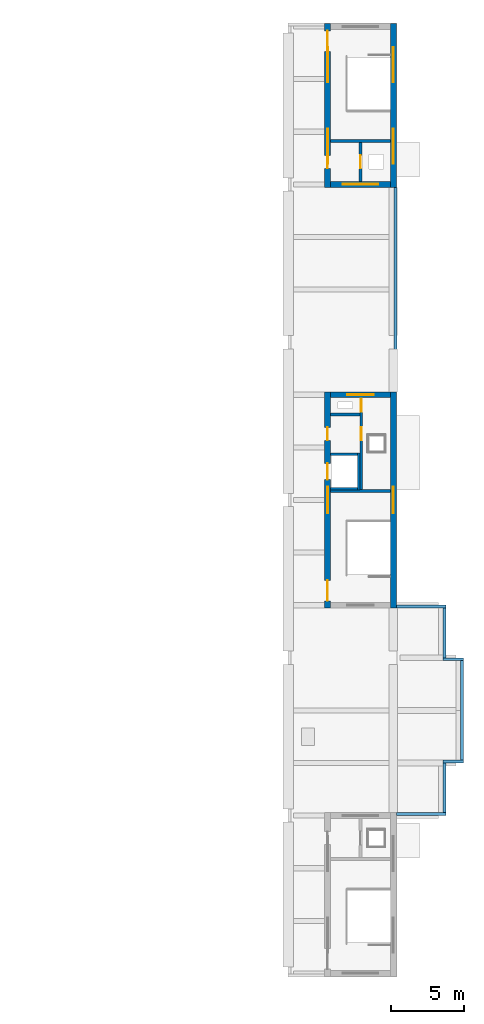
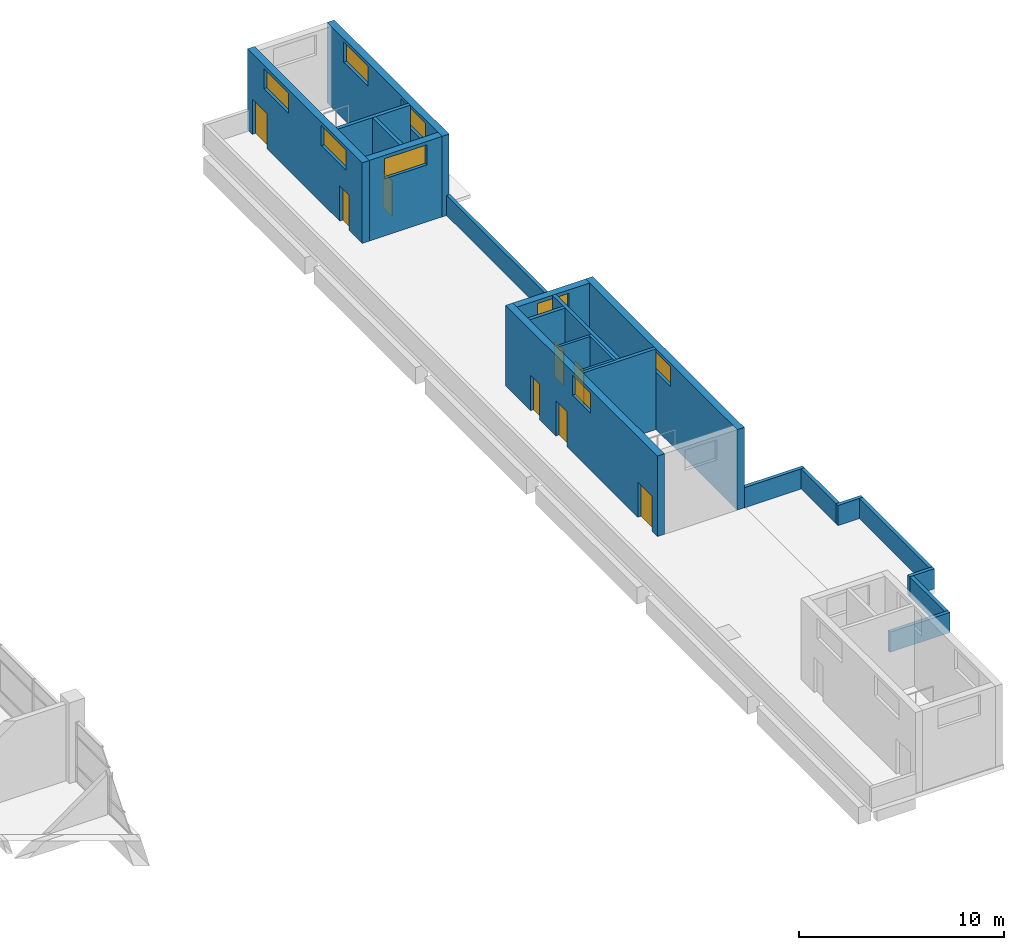
# One storey, part 19 of 23: 22 walls, 8 doors, 8 windows, 16 openings.
"""IFC4 building model written with IfcOpenShell, lengths in metres."""

from ifc_helpers import new_model, si_unit, direction, frame, frame_2d, origin, place, context, subcontext, project, spatial, rectangle, extrude, material, layer, layer_set, type_object, element, fill, save


model = new_model("IFC4")

# Units and contexts
model_context = context("Model", 3, precision=1e-05, world=origin(), true_north=direction((0.0, 1.0)))
body_context = subcontext(model_context, "Body", "Model", "MODEL_VIEW")
ifc_project = project(units=[si_unit("LENGTHUNIT", "METRE"), si_unit("AREAUNIT", "SQUARE_METRE"), si_unit("VOLUMEUNIT", "CUBIC_METRE"), si_unit("PLANEANGLEUNIT", "RADIAN"), si_unit("MASSUNIT", "GRAM", prefix="KILO")], contexts=[model_context])

# Site, building, storey
site_placement = place(None, origin())
site = spatial("IfcSite", under=ifc_project, at=site_placement, CompositionType="ELEMENT")
building_placement = place(site_placement, origin())
building = spatial("IfcBuilding", under=site, at=building_placement, Name="Basin Gate Institute", CompositionType="ELEMENT")
storey_placement = place(building_placement, frame((0.0, 0.0, 46.199951171875)))
storey = spatial("IfcBuildingStorey", under=building, at=storey_placement, Name="L09", CompositionType="ELEMENT", Elevation=46.199951171875)

# Walls
ifc_material_1 = material(Name="Concrete 40 MPa", Category="concrete")
ifc_layer_1 = layer(ifc_material_1, 0.199951171875)
ifc_layer_set_1 = layer_set([ifc_layer_1], Name="Concrete 40 MPa")
wall_type_1 = type_object("IfcWallType", Name="Parapet wall PA1", PredefinedType="PARAPET", material=ifc_layer_set_1)
wall_1_placement = place(storey_placement, frame((118.949951171875, 88.89990234375, 0.0), z_axis=(0.0, 0.0, 1.0), x_axis=(0.0, -1.0, 0.0)))
element("IfcWall", 1, at=wall_1_placement, inside=storey, type_object=wall_type_1, material=ifc_layer_set_1, Name="Parapet wall PA1 L09 E4", PredefinedType="PARAPET", context=body_context, shape_type="SweptSolid", body=[
    extrude(rectangle(XDim=14.0, YDim=0.199951171875, at=frame_2d((7.0, 0.0))), origin(), (0.0, 0.0, 1.0), 1.199951171875),
])
wall_2_placement = place(storey_placement, frame((119.0, 60.199951171875, 0.0), z_axis=(0.0, 0.0, 1.0), x_axis=(1.0, 0.0, 0.0)))
element("IfcWall", 2, at=wall_2_placement, inside=storey, type_object=wall_type_1, material=ifc_layer_set_1, Name="Parapet wall PA1 L09 E5", PredefinedType="PARAPET", context=body_context, shape_type="SweptSolid", body=[
    extrude(rectangle(XDim=3.39990234375, YDim=0.199951171875, at=frame_2d((1.699951171875, 0.0))), origin(), (0.0, 0.0, 1.0), 1.199951171875),
])
wall_3_placement = place(storey_placement, frame((122.300048828125, 60.10009765625, 0.0), z_axis=(0.0, 0.0, 1.0), x_axis=(0.0, -1.0, 0.0)))
element("IfcWall", 3, at=wall_3_placement, inside=storey, type_object=wall_type_1, material=ifc_layer_set_1, Name="Parapet wall PA1 L09 E6", PredefinedType="PARAPET", context=body_context, shape_type="SweptSolid", body=[
    extrude(rectangle(XDim=3.400146484375, YDim=0.199951171875, at=frame_2d((1.7001953125, 0.0))), origin(), (0.0, 0.0, 1.0), 1.199951171875),
])
wall_4_placement = place(storey_placement, frame((122.199951171875, 56.60009765625, 0.0), z_axis=(0.0, 0.0, 1.0), x_axis=(1.0, 0.0, 0.0)))
element("IfcWall", 4, at=wall_4_placement, inside=storey, type_object=wall_type_1, material=ifc_layer_set_1, Name="Parapet wall PA1 L09 E7", PredefinedType="PARAPET", context=body_context, shape_type="SweptSolid", body=[
    extrude(rectangle(XDim=1.400146484375, YDim=0.199951171875, at=frame_2d((0.7001953125, 0.0))), origin(), (0.0, 0.0, 1.0), 1.199951171875),
])
wall_5_placement = place(storey_placement, frame((123.5, 56.5, 0.0), z_axis=(0.0, 0.0, 1.0), x_axis=(0.0, -1.0, 0.0)))
element("IfcWall", 5, at=wall_5_placement, inside=storey, type_object=wall_type_1, material=ifc_layer_set_1, Name="Parapet wall PA1 L09 E8", PredefinedType="PARAPET", context=body_context, shape_type="SweptSolid", body=[
    extrude(rectangle(XDim=6.800048828125, YDim=0.199951171875, at=frame_2d((3.39990234375, 0.0))), origin(), (0.0, 0.0, 1.0), 1.199951171875),
])
wall_6_placement = place(storey_placement, frame((123.60009765625, 49.60009765625, 0.0), z_axis=(0.0, 0.0, 1.0), x_axis=(-1.0, 0.0, 0.0)))
element("IfcWall", 6, at=wall_6_placement, inside=storey, type_object=wall_type_1, material=ifc_layer_set_1, Name="Parapet wall PA1 L09 E9", PredefinedType="PARAPET", context=body_context, shape_type="SweptSolid", body=[
    extrude(rectangle(XDim=1.400146484375, YDim=0.199951171875, at=frame_2d((0.7001953125, 0.0))), origin(), (0.0, 0.0, 1.0), 1.199951171875),
])
for number, where, z_axis, x_axis, name in (
    (7, (122.300048828125, 49.5, 0.0), (0.0, 0.0, 1.0), (0.0, -1.0, 0.0), "Parapet wall PA1 L09 E10"),
    (8, (122.39990234375, 46.0, 0.0), (0.0, 0.0, 1.0), (-1.0, 0.0, 0.0), "Parapet wall PA1 L09 E11"),
):
    element("IfcWall", number, at=place(storey_placement, frame(where, z_axis=z_axis, x_axis=x_axis)), inside=storey, type_object=wall_type_1, material=ifc_layer_set_1, Name=name, PredefinedType="PARAPET", context=body_context, shape_type="SweptSolid", body=[
        extrude(rectangle(XDim=3.39990234375, YDim=0.199951171875, at=frame_2d((1.699951171875, 0.0))), origin(), (0.0, 0.0, 1.0), 1.199951171875),
    ])
ifc_material_2 = material(Name="Concrete 40 MPa", Category="concrete")
ifc_layer_2 = layer(ifc_material_2, 0.199951171875)
ifc_layer_set_2 = layer_set([ifc_layer_2], Name="Concrete 40 MPa")
wall_type_2 = type_object("IfcWallType", Name="Penthouse partition wall RW2 R60", PredefinedType="SOLIDWALL", material=ifc_layer_set_2)
wall_7_placement = place(storey_placement, frame((114.5, 73.35009765625, 0.0), z_axis=(0.0, 0.0, 1.0), x_axis=(1.0, 0.0, 0.0)))
element("IfcWall", 9, at=wall_7_placement, inside=storey, type_object=wall_type_2, material=ifc_layer_set_2, Name="Penthouse partition RW2 EM", PredefinedType="SOLIDWALL", context=body_context, shape_type="SweptSolid", body=[
    extrude(rectangle(XDim=2.0, YDim=0.199951171875, at=frame_2d((1.0, 0.0))), origin(), (0.0, 0.0, 1.0), 4.800048828125),
])

# Wall, openings, doors
wall_8_placement = place(storey_placement, frame((116.60009765625, 68.22509765625, 0.0), z_axis=(0.0, 0.0, 1.0), x_axis=(0.0, 1.0, 0.0)))
wall_8 = element("IfcWall", 10, at=wall_8_placement, inside=storey, type_object=wall_type_2, material=ifc_layer_set_2, Name="Penthouse partition RW2 EM", PredefinedType="SOLIDWALL", context=body_context, shape_type="SweptSolid", body=[
    extrude(rectangle(XDim=6.27490234375, YDim=0.199951171875, at=frame_2d((3.137451171875, 0.0))), origin(), (0.0, 0.0, 1.0), 4.800048828125),
])
opening_1_placement = place(wall_8_placement, frame((3.35009765625, 0.0, 0.0)))
opening_1 = element("IfcOpeningElement", 11, at=opening_1_placement, cuts=wall_8, Name="Opening D14", PredefinedType="OPENING", context=body_context, shape_type="SweptSolid", body=[
    extrude(rectangle(XDim=0.89990234375, YDim=2.10009765625, at=frame_2d((0.449951171875, 1.050048828125))), frame((0.0, 0.10986328125, 0.0), z_axis=(0.0, -1.0, 0.0), x_axis=(1.0, 0.0, 0.0)), (0.0, 0.0, 1.0), 0.219970703125),
])
opening_2_placement = place(wall_8_placement, frame((5.300048828125, 0.0, 0.0)))
opening_2 = element("IfcOpeningElement", 12, at=opening_2_placement, cuts=wall_8, Name="Opening D14", PredefinedType="OPENING", context=body_context, shape_type="SweptSolid", body=[
    extrude(rectangle(XDim=0.89990234375, YDim=2.10009765625, at=frame_2d((0.449951171875, 1.050048828125))), frame((0.0, 0.10986328125, 0.0), z_axis=(0.0, -1.0, 0.0), x_axis=(1.0, 0.0, 0.0)), (0.0, 0.0, 1.0), 0.219970703125),
])
ifc_material_3 = material(Name="Steel fire door", Category="steel")
door_type_1 = type_object("IfcDoorType", Name="Plant room door D14", OperationType="NOTDEFINED", PredefinedType="DOOR", material=ifc_material_3)
door_1_placement = place(opening_1_placement, frame((0.89990234375, 0.0, 0.0), z_axis=(0.0, 0.0, 1.0), x_axis=(-1.0, 0.0, 0.0)))
door_1 = element("IfcDoor", 13, at=door_1_placement, inside=storey, type_object=door_type_1, material=ifc_material_3, Name="Door to Exhaust Fan Room EM", OperationType="SINGLE_SWING_LEFT", OverallHeight=2.10009765625, OverallWidth=0.89990234375, PredefinedType="DOOR", context=body_context, shape_type="SweptSolid", body=[
    extrude(rectangle(XDim=0.89990234375, YDim=2.10009765625, at=frame_2d((0.449951171875, 1.050048828125))), frame((0.0, 0.02490234375, 0.0), z_axis=(0.0, -1.0, 0.0), x_axis=(1.0, 0.0, 0.0)), (0.0, 0.0, 1.0), 0.050048828125),
])
fill(opening_1, door_1)
door_2_placement = place(opening_2_placement, origin())
door_2 = element("IfcDoor", 14, at=door_2_placement, inside=storey, type_object=door_type_1, material=ifc_material_3, Name="Door to Riser Room EM", OperationType="SINGLE_SWING_LEFT", OverallHeight=2.10009765625, OverallWidth=0.89990234375, PredefinedType="DOOR", context=body_context, shape_type="SweptSolid", body=[
    extrude(rectangle(XDim=0.89990234375, YDim=2.10009765625, at=frame_2d((0.449951171875, 1.050048828125))), frame((0.0, 0.02490234375, 0.0), z_axis=(0.0, -1.0, 0.0), x_axis=(1.0, 0.0, 0.0)), (0.0, 0.0, 1.0), 0.050048828125),
])
fill(opening_2, door_2)

# Wall
wall_9_placement = place(storey_placement, frame((114.5, 68.125, 0.0), z_axis=(0.0, 0.0, 1.0), x_axis=(1.0, 0.0, 0.0)))
element("IfcWall", 15, at=wall_9_placement, inside=storey, type_object=wall_type_2, material=ifc_layer_set_2, Name="Penthouse partition RW2 EM", PredefinedType="SOLIDWALL", context=body_context, shape_type="SweptSolid", body=[
    extrude(rectangle(XDim=4.10009765625, YDim=0.199951171875, at=frame_2d((2.050048828125, 0.0))), origin(), (0.0, 0.0, 1.0), 4.800048828125),
])

# Wall, opening, door
wall_10_placement = place(storey_placement, frame((116.550048828125, 89.300048828125, 0.0), z_axis=(0.0, 0.0, 1.0), x_axis=(0.0, 1.0, 0.0)))
wall_10 = element("IfcWall", 16, at=wall_10_placement, inside=storey, type_object=wall_type_2, material=ifc_layer_set_2, Name="Penthouse partition RW2 EN", PredefinedType="SOLIDWALL", context=body_context, shape_type="SweptSolid", body=[
    extrude(rectangle(XDim=2.675048828125, YDim=0.199951171875, at=frame_2d((1.33740234375, 0.0))), origin(), (0.0, 0.0, 1.0), 4.800048828125),
])
opening_3_placement = place(wall_10_placement, frame((0.887451171875, 0.0, 0.0)))
opening_3 = element("IfcOpeningElement", 17, at=opening_3_placement, cuts=wall_10, Name="Opening D14", PredefinedType="OPENING", context=body_context, shape_type="SweptSolid", body=[
    extrude(rectangle(XDim=0.89990234375, YDim=2.10009765625, at=frame_2d((0.449951171875, 1.050048828125))), frame((0.0, 0.10986328125, 0.0), z_axis=(0.0, -1.0, 0.0), x_axis=(1.0, 0.0, 0.0)), (0.0, 0.0, 1.0), 0.219970703125),
])
door_3_placement = place(opening_3_placement, origin())
door_3 = element("IfcDoor", 18, at=door_3_placement, inside=storey, type_object=door_type_1, material=ifc_material_3, Name="Door to Electrical Room EN", OperationType="SINGLE_SWING_LEFT", OverallHeight=2.10009765625, OverallWidth=0.89990234375, PredefinedType="DOOR", context=body_context, shape_type="SweptSolid", body=[
    extrude(rectangle(XDim=0.89990234375, YDim=2.10009765625, at=frame_2d((0.449951171875, 1.050048828125))), frame((0.0, 0.02490234375, 0.0), z_axis=(0.0, -1.0, 0.0), x_axis=(1.0, 0.0, 0.0)), (0.0, 0.0, 1.0), 0.050048828125),
])
fill(opening_3, door_3)

# Walls
wall_11_placement = place(storey_placement, frame((114.5, 92.074951171875, 0.0), z_axis=(0.0, 0.0, 1.0), x_axis=(1.0, 0.0, 0.0)))
element("IfcWall", 19, at=wall_11_placement, inside=storey, type_object=wall_type_2, material=ifc_layer_set_2, Name="Penthouse partition RW2 EN", PredefinedType="SOLIDWALL", context=body_context, shape_type="SweptSolid", body=[
    extrude(rectangle(XDim=4.10009765625, YDim=0.199951171875, at=frame_2d((2.050048828125, 0.0))), origin(), (0.0, 0.0, 1.0), 4.800048828125),
])
ifc_material_4 = material(Name="Concrete 40 MPa", Category="concrete")
ifc_layer_3 = layer(ifc_material_4, 0.14990234375)
ifc_layer_set_3 = layer_set([ifc_layer_3], Name="Concrete 40 MPa")
wall_type_3 = type_object("IfcWallType", Name="Wall LS1 lift shaft enclosure R120", PredefinedType="SOLIDWALL", material=ifc_layer_set_3)
wall_12_placement = place(storey_placement, frame((116.425048828125, 68.199951171875, 0.0), z_axis=(0.0, 0.0, 1.0), x_axis=(0.0, 1.0, 0.0)))
element("IfcWall", 20, at=wall_12_placement, inside=storey, type_object=wall_type_3, material=ifc_layer_set_3, Name="Lift shaft enclosure LF2 L09 UL", PredefinedType="SOLIDWALL", context=body_context, shape_type="SweptSolid", body=[
    extrude(rectangle(XDim=2.5, YDim=0.14990234375, at=frame_2d((1.25, 0.0))), origin(), (0.0, 0.0, 1.0), 4.800048828125),
])
for number, where, z_axis, x_axis, name in (
    (21, (116.35009765625, 68.27490234375, 0.0), (0.0, 0.0, 1.0), (-1.0, 0.0, 0.0), "Lift shaft enclosure LF2 L09 RL"),
    (22, (116.35009765625, 70.625, 0.0), (0.0, 0.0, 1.0), (-1.0, 0.0, 0.0), "Lift shaft enclosure LF2 L09 RH"),
):
    element("IfcWall", number, at=place(storey_placement, frame(where, z_axis=z_axis, x_axis=x_axis)), inside=storey, type_object=wall_type_3, material=ifc_layer_set_3, Name=name, PredefinedType="SOLIDWALL", context=body_context, shape_type="SweptSolid", body=[
        extrude(rectangle(XDim=1.85009765625, YDim=0.14990234375, at=frame_2d((0.925048828125, 0.0))), origin(), (0.0, 0.0, 1.0), 4.800048828125),
    ])

# Wall, opening, window
ifc_material_5 = material(Name="Concrete 50 MPa", Category="concrete")
ifc_layer_4 = layer(ifc_material_5, 0.39990234375)
ifc_layer_set_4 = layer_set([ifc_layer_4], Name="Concrete 50 MPa")
wall_type_4 = type_object("IfcWallType", Name="Wall SW2 R120", PredefinedType="SHEAR", material=ifc_layer_set_4)
wall_13_placement = place(storey_placement, frame((118.800048828125, 60.10009765625, 0.0), z_axis=(0.0, 0.0, 1.0), x_axis=(0.0, 1.0, 0.0)))
wall_13 = element("IfcWall", 23, at=wall_13_placement, inside=storey, type_object=wall_type_4, material=ifc_layer_set_4, Name="WALL/L09/EM/L", PredefinedType="SHEAR", context=body_context, shape_type="SweptSolid", body=[
    extrude(rectangle(XDim=14.7998046875, YDim=0.39990234375, at=frame_2d((7.39990234375, 0.0))), origin(), (0.0, 0.0, 1.0), 4.800048828125),
])
opening_4_placement = place(wall_13_placement, frame((6.5, 0.0, 3.39990234375)))
opening_4 = element("IfcOpeningElement", 24, at=opening_4_placement, cuts=wall_13, Name="Opening LV2A", PredefinedType="OPENING", context=body_context, shape_type="SweptSolid", body=[
    extrude(rectangle(XDim=1.800048828125, YDim=1.199951171875, at=frame_2d((0.89990234375, 0.60009765625))), frame((0.0, 0.2099609375, 0.0), z_axis=(0.0, -1.0, 0.0), x_axis=(1.0, 0.0, 0.0)), (0.0, 0.0, 1.0), 0.419921875),
])
ifc_material_6 = material(Name="Aluminium louvre", Category="aluminium")
window_type_1 = type_object("IfcWindowType", Name="Exhaust louvre LV2A", PartitioningType="SINGLE_PANEL", PredefinedType="USERDEFINED", material=ifc_material_6)
window_1_placement = place(opening_4_placement, origin())
window_1 = element("IfcWindow", 25, at=window_1_placement, inside=storey, type_object=window_type_1, material=ifc_material_6, Name="Exhaust louvre LV2A EM stack L1", ObjectType="LOUVRE", OverallHeight=1.199951171875, OverallWidth=1.800048828125, PartitioningType="SINGLE_PANEL", PredefinedType="USERDEFINED", context=body_context, shape_type="SweptSolid", body=[
    extrude(rectangle(XDim=1.800048828125, YDim=1.199951171875, at=frame_2d((0.89990234375, 0.60009765625))), frame((0.0, 0.030029296875, 0.0), z_axis=(0.0, -1.0, 0.0), x_axis=(1.0, 0.0, 0.0)), (0.0, 0.0, 1.0), 0.06005859375),
])
fill(opening_4, window_1)

# Wall, openings, window, doors
wall_14_placement = place(storey_placement, frame((114.300048828125, 60.10009765625, 0.0), z_axis=(0.0, 0.0, 1.0), x_axis=(0.0, 1.0, 0.0)))
wall_14 = element("IfcWall", 26, at=wall_14_placement, inside=storey, type_object=wall_type_4, material=ifc_layer_set_4, Name="WALL/L09/EM/C", PredefinedType="SHEAR", context=body_context, shape_type="SweptSolid", body=[
    extrude(rectangle(XDim=14.7998046875, YDim=0.39990234375, at=frame_2d((7.39990234375, 0.0))), origin(), (0.0, 0.0, 1.0), 4.800048828125),
])
opening_5_placement = place(wall_14_placement, frame((8.800048828125, 0.0, 0.0)))
opening_5 = element("IfcOpeningElement", 27, at=opening_5_placement, cuts=wall_14, Name="Opening LD092", PredefinedType="OPENING", context=body_context, shape_type="SweptSolid", body=[
    extrude(rectangle(XDim=1.10009765625, YDim=2.10009765625, at=frame_2d((0.550048828125, 1.050048828125))), frame((0.0, 0.2099609375, 0.0), z_axis=(0.0, -1.0, 0.0), x_axis=(1.0, 0.0, 0.0)), (0.0, 0.0, 1.0), 0.419921875),
])
opening_6_placement = place(wall_14_placement, frame((0.5, 0.0, 0.0)))
opening_6 = element("IfcOpeningElement", 28, at=opening_6_placement, cuts=wall_14, Name="Opening DF05", PredefinedType="OPENING", context=body_context, shape_type="SweptSolid", body=[
    extrude(rectangle(XDim=1.39990234375, YDim=2.10009765625, at=frame_2d((0.699951171875, 1.050048828125))), frame((0.0, 0.2099609375, 0.0), z_axis=(0.0, -1.0, 0.0), x_axis=(1.0, 0.0, 0.0)), (0.0, 0.0, 1.0), 0.419921875),
])
opening_7_placement = place(wall_14_placement, frame((6.5, 0.0, 3.39990234375)))
opening_7 = element("IfcOpeningElement", 29, at=opening_7_placement, cuts=wall_14, Name="Opening LV2A", PredefinedType="OPENING", context=body_context, shape_type="SweptSolid", body=[
    extrude(rectangle(XDim=1.800048828125, YDim=1.199951171875, at=frame_2d((0.89990234375, 0.60009765625))), frame((0.0, 0.2099609375, 0.0), z_axis=(0.0, -1.0, 0.0), x_axis=(1.0, 0.0, 0.0)), (0.0, 0.0, 1.0), 0.419921875),
])
opening_8_placement = place(wall_14_placement, frame((11.47509765625, 0.0, 0.0)))
opening_8 = element("IfcOpeningElement", 30, at=opening_8_placement, cuts=wall_14, Name="Opening D14", PredefinedType="OPENING", context=body_context, shape_type="SweptSolid", body=[
    extrude(rectangle(XDim=0.89990234375, YDim=2.10009765625, at=frame_2d((0.449951171875, 1.050048828125))), frame((0.0, 0.2099609375, 0.0), z_axis=(0.0, -1.0, 0.0), x_axis=(1.0, 0.0, 0.0)), (0.0, 0.0, 1.0), 0.419921875),
])
window_2_placement = place(opening_7_placement, origin())
window_2 = element("IfcWindow", 31, at=window_2_placement, inside=storey, type_object=window_type_1, material=ifc_material_6, Name="Exhaust louvre LV2A EM stack C1", ObjectType="LOUVRE", OverallHeight=1.199951171875, OverallWidth=1.800048828125, PartitioningType="SINGLE_PANEL", PredefinedType="USERDEFINED", context=body_context, shape_type="SweptSolid", body=[
    extrude(rectangle(XDim=1.800048828125, YDim=1.199951171875, at=frame_2d((0.89990234375, 0.60009765625))), frame((0.0, 0.030029296875, 0.0), z_axis=(0.0, -1.0, 0.0), x_axis=(1.0, 0.0, 0.0)), (0.0, 0.0, 1.0), 0.06005859375),
])
fill(opening_7, window_2)
ifc_material_7 = material(Name="Steel fire door", Category="steel")
door_type_2 = type_object("IfcDoorType", Name="FD30 Roof access door DF", OperationType="DOUBLE_DOOR_SINGLE_SWING", PredefinedType="DOOR", material=ifc_material_7)
door_4_placement = place(opening_6_placement, origin())
door_4 = element("IfcDoor", 32, at=door_4_placement, inside=storey, type_object=door_type_2, material=ifc_material_7, Name="Roof access door ST-EM", OperationType="DOUBLE_DOOR_SINGLE_SWING", OverallHeight=2.10009765625, OverallWidth=1.39990234375, PredefinedType="DOOR", context=body_context, shape_type="SweptSolid", body=[
    extrude(rectangle(XDim=1.39990234375, YDim=2.10009765625, at=frame_2d((0.699951171875, 1.050048828125))), frame((0.0, 0.02490234375, 0.0), z_axis=(0.0, -1.0, 0.0), x_axis=(1.0, 0.0, 0.0)), (0.0, 0.0, 1.0), 0.050048828125),
])
fill(opening_6, door_4)
ifc_material_8 = material(Name="Stainless steel", Category="steel")
door_type_3 = type_object("IfcDoorType", Name="FD60 Lift landing door LD", OperationType="SLIDING_TO_LEFT", PredefinedType="DOOR", material=ifc_material_8)
door_5_placement = place(opening_5_placement, origin())
door_5 = element("IfcDoor", 33, at=door_5_placement, inside=storey, type_object=door_type_3, material=ifc_material_8, Name="Lift landing door LF2 L09", OperationType="SLIDING_TO_LEFT", OverallHeight=2.10009765625, OverallWidth=1.10009765625, PredefinedType="DOOR", context=body_context, shape_type="SweptSolid", body=[
    extrude(rectangle(XDim=1.10009765625, YDim=2.10009765625, at=frame_2d((0.550048828125, 1.050048828125))), frame((0.0, 0.02490234375, 0.0), z_axis=(0.0, -1.0, 0.0), x_axis=(1.0, 0.0, 0.0)), (0.0, 0.0, 1.0), 0.050048828125),
])
fill(opening_5, door_5)
door_6_placement = place(opening_8_placement, frame((0.89990234375, 0.0, 0.0), z_axis=(0.0, 0.0, 1.0), x_axis=(-1.0, 0.0, 0.0)))
door_6 = element("IfcDoor", 34, at=door_6_placement, inside=storey, type_object=door_type_1, material=ifc_material_3, Name="Door to Lift Machine Room LP5", OperationType="SINGLE_SWING_LEFT", OverallHeight=2.10009765625, OverallWidth=0.89990234375, PredefinedType="DOOR", context=body_context, shape_type="SweptSolid", body=[
    extrude(rectangle(XDim=0.89990234375, YDim=2.10009765625, at=frame_2d((0.449951171875, 1.050048828125))), frame((0.0, 0.02490234375, 0.0), z_axis=(0.0, -1.0, 0.0), x_axis=(1.0, 0.0, 0.0)), (0.0, 0.0, 1.0), 0.050048828125),
])
fill(opening_8, door_6)

# Wall, opening, window
wall_15_placement = place(storey_placement, frame((118.60009765625, 74.699951171875, 0.0), z_axis=(0.0, 0.0, 1.0), x_axis=(-1.0, 0.0, 0.0)))
wall_15 = element("IfcWall", 35, at=wall_15_placement, inside=storey, type_object=wall_type_4, material=ifc_layer_set_4, Name="WALL/L09/EM/N", PredefinedType="SHEAR", context=body_context, shape_type="SweptSolid", body=[
    extrude(rectangle(XDim=4.10009765625, YDim=0.39990234375, at=frame_2d((2.050048828125, 0.0))), origin(), (0.0, 0.0, 1.0), 4.800048828125),
])
opening_9_placement = place(wall_15_placement, frame((1.14990234375, 0.0, 3.39990234375)))
opening_9 = element("IfcOpeningElement", 36, at=opening_9_placement, cuts=wall_15, Name="Opening LV2A", PredefinedType="OPENING", context=body_context, shape_type="SweptSolid", body=[
    extrude(rectangle(XDim=1.800048828125, YDim=1.199951171875, at=frame_2d((0.89990234375, 0.60009765625))), frame((0.0, 0.2099609375, 0.0), z_axis=(0.0, -1.0, 0.0), x_axis=(1.0, 0.0, 0.0)), (0.0, 0.0, 1.0), 0.419921875),
])
window_3_placement = place(opening_9_placement, origin())
window_3 = element("IfcWindow", 37, at=window_3_placement, inside=storey, type_object=window_type_1, material=ifc_material_6, Name="Exhaust louvre LV2A EM stack N1", ObjectType="LOUVRE", OverallHeight=1.199951171875, OverallWidth=1.800048828125, PartitioningType="SINGLE_PANEL", PredefinedType="USERDEFINED", context=body_context, shape_type="SweptSolid", body=[
    extrude(rectangle(XDim=1.800048828125, YDim=1.199951171875, at=frame_2d((0.89990234375, 0.60009765625))), frame((0.0, 0.030029296875, 0.0), z_axis=(0.0, -1.0, 0.0), x_axis=(1.0, 0.0, 0.0)), (0.0, 0.0, 1.0), 0.06005859375),
])
fill(opening_9, window_3)

# Wall, openings, windows
wall_16_placement = place(storey_placement, frame((118.800048828125, 88.89990234375, 0.0), z_axis=(0.0, 0.0, 1.0), x_axis=(0.0, 1.0, 0.0)))
wall_16 = element("IfcWall", 38, at=wall_16_placement, inside=storey, type_object=wall_type_4, material=ifc_layer_set_4, Name="WALL/L09/EN/L", PredefinedType="SHEAR", context=body_context, shape_type="SweptSolid", body=[
    extrude(rectangle(XDim=11.2001953125, YDim=0.39990234375, at=frame_2d((5.60009765625, 0.0))), origin(), (0.0, 0.0, 1.0), 4.800048828125),
])
opening_10_placement = place(wall_16_placement, frame((1.60009765625, 0.0, 3.39990234375)))
opening_10 = element("IfcOpeningElement", 39, at=opening_10_placement, cuts=wall_16, Name="Opening LV1A", PredefinedType="OPENING", context=body_context, shape_type="SweptSolid", body=[
    extrude(rectangle(XDim=2.39990234375, YDim=1.199951171875, at=frame_2d((1.199951171875, 0.60009765625))), frame((0.0, 0.2099609375, 0.0), z_axis=(0.0, -1.0, 0.0), x_axis=(1.0, 0.0, 0.0)), (0.0, 0.0, 1.0), 0.419921875),
])
opening_11_placement = place(wall_16_placement, frame((7.199951171875, 0.0, 3.39990234375)))
opening_11 = element("IfcOpeningElement", 40, at=opening_11_placement, cuts=wall_16, Name="Opening LV1A", PredefinedType="OPENING", context=body_context, shape_type="SweptSolid", body=[
    extrude(rectangle(XDim=2.39990234375, YDim=1.199951171875, at=frame_2d((1.199951171875, 0.60009765625))), frame((0.0, 0.2099609375, 0.0), z_axis=(0.0, -1.0, 0.0), x_axis=(1.0, 0.0, 0.0)), (0.0, 0.0, 1.0), 0.419921875),
])
ifc_material_9 = material(Name="Aluminium louvre", Category="aluminium")
window_type_2 = type_object("IfcWindowType", Name="Exhaust louvre LV1A", PartitioningType="SINGLE_PANEL", PredefinedType="USERDEFINED", material=ifc_material_9)
window_4_placement = place(opening_10_placement, origin())
window_4 = element("IfcWindow", 41, at=window_4_placement, inside=storey, type_object=window_type_2, material=ifc_material_9, Name="Exhaust louvre LV1A EN stack L1", ObjectType="LOUVRE", OverallHeight=1.199951171875, OverallWidth=2.39990234375, PartitioningType="SINGLE_PANEL", PredefinedType="USERDEFINED", context=body_context, shape_type="SweptSolid", body=[
    extrude(rectangle(XDim=2.39990234375, YDim=1.199951171875, at=frame_2d((1.199951171875, 0.60009765625))), frame((0.0, 0.030029296875, 0.0), z_axis=(0.0, -1.0, 0.0), x_axis=(1.0, 0.0, 0.0)), (0.0, 0.0, 1.0), 0.06005859375),
])
fill(opening_10, window_4)
window_5_placement = place(opening_11_placement, origin())
window_5 = element("IfcWindow", 42, at=window_5_placement, inside=storey, type_object=window_type_2, material=ifc_material_9, Name="Exhaust louvre LV1A EN stack L2", ObjectType="LOUVRE", OverallHeight=1.199951171875, OverallWidth=2.39990234375, PartitioningType="SINGLE_PANEL", PredefinedType="USERDEFINED", context=body_context, shape_type="SweptSolid", body=[
    extrude(rectangle(XDim=2.39990234375, YDim=1.199951171875, at=frame_2d((1.199951171875, 0.60009765625))), frame((0.0, 0.030029296875, 0.0), z_axis=(0.0, -1.0, 0.0), x_axis=(1.0, 0.0, 0.0)), (0.0, 0.0, 1.0), 0.06005859375),
])
fill(opening_11, window_5)

# Wall, openings, windows, doors
wall_17_placement = place(storey_placement, frame((114.300048828125, 88.89990234375, 0.0), z_axis=(0.0, 0.0, 1.0), x_axis=(0.0, 1.0, 0.0)))
wall_17 = element("IfcWall", 43, at=wall_17_placement, inside=storey, type_object=wall_type_4, material=ifc_layer_set_4, Name="WALL/L09/EN/C", PredefinedType="SHEAR", context=body_context, shape_type="SweptSolid", body=[
    extrude(rectangle(XDim=11.2001953125, YDim=0.39990234375, at=frame_2d((5.60009765625, 0.0))), origin(), (0.0, 0.0, 1.0), 4.800048828125),
])
opening_12_placement = place(wall_17_placement, frame((9.300048828125, 0.0, 0.0)))
opening_12 = element("IfcOpeningElement", 44, at=opening_12_placement, cuts=wall_17, Name="Opening DF06", PredefinedType="OPENING", context=body_context, shape_type="SweptSolid", body=[
    extrude(rectangle(XDim=1.39990234375, YDim=2.10009765625, at=frame_2d((0.699951171875, 1.050048828125))), frame((0.0, 0.2099609375, 0.0), z_axis=(0.0, -1.0, 0.0), x_axis=(1.0, 0.0, 0.0)), (0.0, 0.0, 1.0), 0.419921875),
])
opening_13_placement = place(wall_17_placement, frame((1.60009765625, 0.0, 3.39990234375)))
opening_13 = element("IfcOpeningElement", 45, at=opening_13_placement, cuts=wall_17, Name="Opening LV1A", PredefinedType="OPENING", context=body_context, shape_type="SweptSolid", body=[
    extrude(rectangle(XDim=2.39990234375, YDim=1.199951171875, at=frame_2d((1.199951171875, 0.60009765625))), frame((0.0, 0.2099609375, 0.0), z_axis=(0.0, -1.0, 0.0), x_axis=(1.0, 0.0, 0.0)), (0.0, 0.0, 1.0), 0.419921875),
])
opening_14_placement = place(wall_17_placement, frame((7.199951171875, 0.0, 3.39990234375)))
opening_14 = element("IfcOpeningElement", 46, at=opening_14_placement, cuts=wall_17, Name="Opening LV1A", PredefinedType="OPENING", context=body_context, shape_type="SweptSolid", body=[
    extrude(rectangle(XDim=2.39990234375, YDim=1.199951171875, at=frame_2d((1.199951171875, 0.60009765625))), frame((0.0, 0.2099609375, 0.0), z_axis=(0.0, -1.0, 0.0), x_axis=(1.0, 0.0, 0.0)), (0.0, 0.0, 1.0), 0.419921875),
])
opening_15_placement = place(wall_17_placement, frame((1.28759765625, 0.0, 0.0)))
opening_15 = element("IfcOpeningElement", 47, at=opening_15_placement, cuts=wall_17, Name="Opening D14", PredefinedType="OPENING", context=body_context, shape_type="SweptSolid", body=[
    extrude(rectangle(XDim=0.89990234375, YDim=2.10009765625, at=frame_2d((0.449951171875, 1.050048828125))), frame((0.0, 0.2099609375, 0.0), z_axis=(0.0, -1.0, 0.0), x_axis=(1.0, 0.0, 0.0)), (0.0, 0.0, 1.0), 0.419921875),
])
window_6_placement = place(opening_13_placement, origin())
window_6 = element("IfcWindow", 48, at=window_6_placement, inside=storey, type_object=window_type_2, material=ifc_material_9, Name="Exhaust louvre LV1A EN stack C1", ObjectType="LOUVRE", OverallHeight=1.199951171875, OverallWidth=2.39990234375, PartitioningType="SINGLE_PANEL", PredefinedType="USERDEFINED", context=body_context, shape_type="SweptSolid", body=[
    extrude(rectangle(XDim=2.39990234375, YDim=1.199951171875, at=frame_2d((1.199951171875, 0.60009765625))), frame((0.0, 0.030029296875, 0.0), z_axis=(0.0, -1.0, 0.0), x_axis=(1.0, 0.0, 0.0)), (0.0, 0.0, 1.0), 0.06005859375),
])
fill(opening_13, window_6)
window_7_placement = place(opening_14_placement, origin())
window_7 = element("IfcWindow", 49, at=window_7_placement, inside=storey, type_object=window_type_2, material=ifc_material_9, Name="Exhaust louvre LV1A EN stack C2", ObjectType="LOUVRE", OverallHeight=1.199951171875, OverallWidth=2.39990234375, PartitioningType="SINGLE_PANEL", PredefinedType="USERDEFINED", context=body_context, shape_type="SweptSolid", body=[
    extrude(rectangle(XDim=2.39990234375, YDim=1.199951171875, at=frame_2d((1.199951171875, 0.60009765625))), frame((0.0, 0.030029296875, 0.0), z_axis=(0.0, -1.0, 0.0), x_axis=(1.0, 0.0, 0.0)), (0.0, 0.0, 1.0), 0.06005859375),
])
fill(opening_14, window_7)
door_7_placement = place(opening_12_placement, origin())
door_7 = element("IfcDoor", 50, at=door_7_placement, inside=storey, type_object=door_type_2, material=ifc_material_7, Name="Roof access door ST-EN", OperationType="DOUBLE_DOOR_SINGLE_SWING", OverallHeight=2.10009765625, OverallWidth=1.39990234375, PredefinedType="DOOR", context=body_context, shape_type="SweptSolid", body=[
    extrude(rectangle(XDim=1.39990234375, YDim=2.10009765625, at=frame_2d((0.699951171875, 1.050048828125))), frame((0.0, 0.02490234375, 0.0), z_axis=(0.0, -1.0, 0.0), x_axis=(1.0, 0.0, 0.0)), (0.0, 0.0, 1.0), 0.050048828125),
])
fill(opening_12, door_7)
door_8_placement = place(opening_15_placement, frame((0.89990234375, 0.0, 0.0), z_axis=(0.0, 0.0, 1.0), x_axis=(-1.0, 0.0, 0.0)))
door_8 = element("IfcDoor", 51, at=door_8_placement, inside=storey, type_object=door_type_1, material=ifc_material_3, Name="Door to Lift Machine Room LP6", OperationType="SINGLE_SWING_RIGHT", OverallHeight=2.10009765625, OverallWidth=0.89990234375, PredefinedType="DOOR", context=body_context, shape_type="SweptSolid", body=[
    extrude(rectangle(XDim=0.89990234375, YDim=2.10009765625, at=frame_2d((0.449951171875, 1.050048828125))), frame((0.0, 0.02490234375, 0.0), z_axis=(0.0, -1.0, 0.0), x_axis=(1.0, 0.0, 0.0)), (0.0, 0.0, 1.0), 0.050048828125),
])
fill(opening_15, door_8)

# Wall, opening, window
wall_18_placement = place(storey_placement, frame((118.60009765625, 89.10009765625, 0.0), z_axis=(0.0, 0.0, 1.0), x_axis=(-1.0, 0.0, 0.0)))
wall_18 = element("IfcWall", 52, at=wall_18_placement, inside=storey, type_object=wall_type_4, material=ifc_layer_set_4, Name="WALL/L09/EN/S", PredefinedType="SHEAR", context=body_context, shape_type="SweptSolid", body=[
    extrude(rectangle(XDim=4.10009765625, YDim=0.39990234375, at=frame_2d((2.050048828125, 0.0))), origin(), (0.0, 0.0, 1.0), 4.800048828125),
])
opening_16_placement = place(wall_18_placement, frame((0.85009765625, 0.0, 3.39990234375)))
opening_16 = element("IfcOpeningElement", 53, at=opening_16_placement, cuts=wall_18, Name="Opening LV1A", PredefinedType="OPENING", context=body_context, shape_type="SweptSolid", body=[
    extrude(rectangle(XDim=2.39990234375, YDim=1.199951171875, at=frame_2d((1.199951171875, 0.60009765625))), frame((0.0, 0.2099609375, 0.0), z_axis=(0.0, -1.0, 0.0), x_axis=(1.0, 0.0, 0.0)), (0.0, 0.0, 1.0), 0.419921875),
])
window_8_placement = place(opening_16_placement, origin())
window_8 = element("IfcWindow", 54, at=window_8_placement, inside=storey, type_object=window_type_2, material=ifc_material_9, Name="Exhaust louvre LV1A EN stack S1", ObjectType="LOUVRE", OverallHeight=1.199951171875, OverallWidth=2.39990234375, PartitioningType="SINGLE_PANEL", PredefinedType="USERDEFINED", context=body_context, shape_type="SweptSolid", body=[
    extrude(rectangle(XDim=2.39990234375, YDim=1.199951171875, at=frame_2d((1.199951171875, 0.60009765625))), frame((0.0, 0.030029296875, 0.0), z_axis=(0.0, -1.0, 0.0), x_axis=(1.0, 0.0, 0.0)), (0.0, 0.0, 1.0), 0.06005859375),
])
fill(opening_16, window_8)

save(model, "model.ifc")
